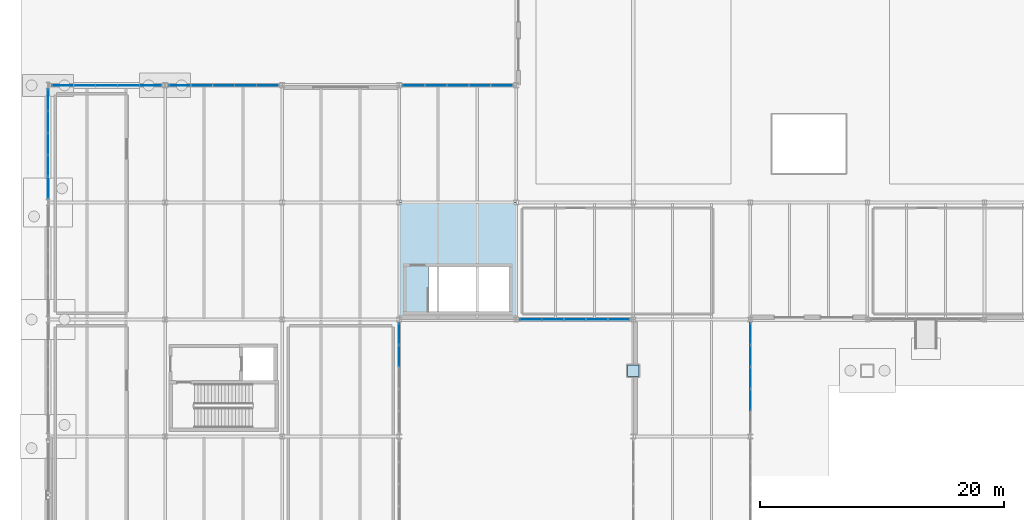
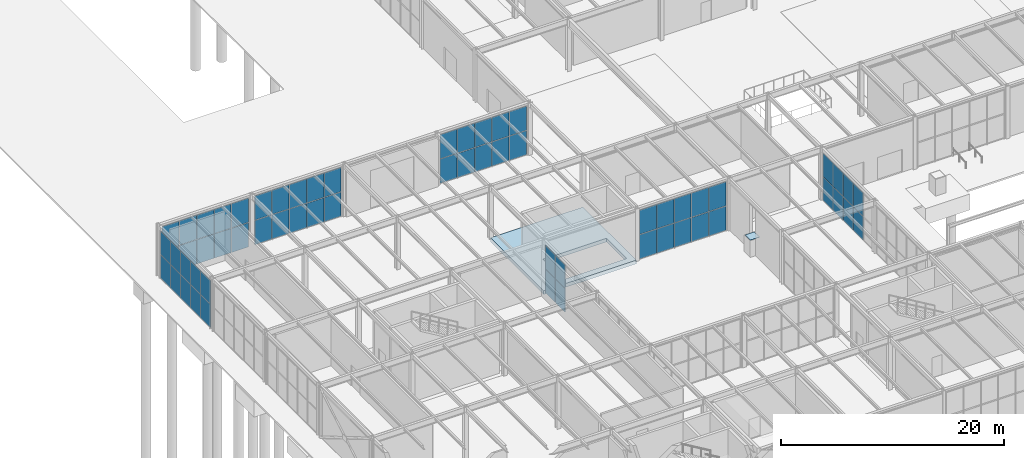
# One storey, part 106 of 142: 63 plates, 1 slab, 7 elements without a shape of their own.
"""IFC4 building model written with IfcOpenShell, lengths in metres."""

from ifc_helpers import new_model, si_unit, direction, frame, origin, origin_2d, place, context, subcontext, project, spatial, polyline, rectangle, outline, extrude, material, layer, layer_set, type_object, element, aggregate, save


model = new_model("IFC4")

# Units and contexts
model_context = context("Model", 3, precision=1e-05, world=origin(), true_north=direction((0.0, 1.0)))
body_context = subcontext(model_context, "Body", "Model", "MODEL_VIEW")
ifc_project = project(units=[si_unit("LENGTHUNIT", "METRE"), si_unit("AREAUNIT", "SQUARE_METRE"), si_unit("VOLUMEUNIT", "CUBIC_METRE"), si_unit("PLANEANGLEUNIT", "RADIAN"), si_unit("MASSUNIT", "GRAM", prefix="KILO")], contexts=[model_context])

# Site, building, storey
site_placement = place(None, origin())
site = spatial("IfcSite", under=ifc_project, at=site_placement, CompositionType="ELEMENT")
building_placement = place(site_placement, origin())
building = spatial("IfcBuilding", under=site, at=building_placement, Name="Coralgate Yard Interchange", CompositionType="ELEMENT")
storey_placement = place(building_placement, origin())
storey = spatial("IfcBuildingStorey", under=building, at=storey_placement, Name="L00", CompositionType="ELEMENT", Elevation=0.0)

# Plate
ifc_material_1 = material(Name="Yellow-ochre weather-coated structural steel S355J2", Category="steel")
ifc_layer_1 = layer(ifc_material_1, 0.0400390625)
ifc_layer_set_1 = layer_set([ifc_layer_1], Name="Yellow-ochre weather-coated structural steel S355J2")
plate_type_1 = type_object("IfcPlateType", Name="PLT-BP-40", PredefinedType="USERDEFINED", material=ifc_layer_set_1)
plate_1_placement = place(storey_placement, frame((48.0, 34.199951171875, 1.800048828125), z_axis=(0.0, 0.0, 1.0), x_axis=(1.0, 0.0, 0.0)))
element("IfcPlate", 1, at=plate_1_placement, inside=storey, type_object=plate_type_1, Name="Arch AR-1 S steel base plate BP-40", ObjectType="BASE PLATE", PredefinedType="USERDEFINED", context=body_context, shape_type="SweptSolid", body=[
    extrude(rectangle(XDim=0.949951171875, YDim=0.949951171875, at=origin_2d()), origin(), (0.0, 0.0, 1.0), 0.0400390625),
])

# Curtain wall, plates
ifc_material_2 = material(Name="Anodised coastal aluminium and solar-control low-E glass", Category="aluminium")
curtain_wall_type_1 = type_object("IfcCurtainWallType", Name="CW-CW-L00-A", PredefinedType="NOTDEFINED", material=ifc_material_2)
curtain_wall_1_placement = place(storey_placement, origin())
curtain_wall_1 = element("IfcCurtainWall", 2, at=curtain_wall_1_placement, inside=storey, type_object=curtain_wall_type_1, Name="L00 unitised curtain wall CW-L00-W-00-05", PredefinedType="NOTDEFINED")
ifc_material_3 = material(Name="Solar-control double-glazed low-E glass unit", Category="glass")
ifc_layer_2 = layer(ifc_material_3, 0.0419921875)
ifc_layer_set_2 = layer_set([ifc_layer_2], Name="Solar-control double-glazed low-E glass unit")
plate_type_2 = type_object("IfcPlateType", Name="PLT-CP-42", PredefinedType="CURTAIN_PANEL", material=ifc_layer_set_2)
plate_2_placement = place(storey_placement, frame((0.0, 49.199951171875, 0.02490234375), z_axis=(0.0, 0.0, 1.0), x_axis=(0.0, 1.0, 0.0)))
plate_2 = element("IfcPlate", 3, at=plate_2_placement, type_object=plate_type_2, Name="CW-L00-W-00-05 solar-control glazing panel 1-1", PredefinedType="CURTAIN_PANEL", context=body_context, shape_type="SweptSolid", body=[
    extrude(rectangle(XDim=1.75, YDim=0.0419921875, at=origin_2d()), origin(), (0.0, 0.0, 1.0), 2.558349609375),
])
plate_3_placement = place(storey_placement, frame((0.0, 49.199951171875, 2.63330078125), z_axis=(0.0, 0.0, 1.0), x_axis=(0.0, 1.0, 0.0)))
plate_3 = element("IfcPlate", 4, at=plate_3_placement, type_object=plate_type_2, Name="CW-L00-W-00-05 solar-control glazing panel 1-2", PredefinedType="CURTAIN_PANEL", context=body_context, shape_type="SweptSolid", body=[
    extrude(rectangle(XDim=1.75, YDim=0.0419921875, at=origin_2d()), origin(), (0.0, 0.0, 1.0), 2.558349609375),
])
plate_4_placement = place(storey_placement, frame((0.0, 51.0, 0.02490234375), z_axis=(0.0, 0.0, 1.0), x_axis=(0.0, 1.0, 0.0)))
plate_4 = element("IfcPlate", 5, at=plate_4_placement, type_object=plate_type_2, Name="CW-L00-W-00-05 solar-control glazing panel 2-1", PredefinedType="CURTAIN_PANEL", context=body_context, shape_type="SweptSolid", body=[
    extrude(rectangle(XDim=1.75, YDim=0.0419921875, at=origin_2d()), origin(), (0.0, 0.0, 1.0), 2.558349609375),
])
plate_5_placement = place(storey_placement, frame((0.0, 51.0, 2.63330078125), z_axis=(0.0, 0.0, 1.0), x_axis=(0.0, 1.0, 0.0)))
plate_5 = element("IfcPlate", 6, at=plate_5_placement, type_object=plate_type_2, Name="CW-L00-W-00-05 solar-control glazing panel 2-2", PredefinedType="CURTAIN_PANEL", context=body_context, shape_type="SweptSolid", body=[
    extrude(rectangle(XDim=1.75, YDim=0.0419921875, at=origin_2d()), origin(), (0.0, 0.0, 1.0), 2.558349609375),
])
plate_6_placement = place(storey_placement, frame((0.0, 52.800048828125, 0.02490234375), z_axis=(0.0, 0.0, 1.0), x_axis=(0.0, 1.0, 0.0)))
plate_6 = element("IfcPlate", 7, at=plate_6_placement, type_object=plate_type_2, Name="CW-L00-W-00-05 solar-control glazing panel 3-1", PredefinedType="CURTAIN_PANEL", context=body_context, shape_type="SweptSolid", body=[
    extrude(rectangle(XDim=1.75, YDim=0.0419921875, at=origin_2d()), origin(), (0.0, 0.0, 1.0), 2.558349609375),
])
plate_7_placement = place(storey_placement, frame((0.0, 52.800048828125, 2.63330078125), z_axis=(0.0, 0.0, 1.0), x_axis=(0.0, 1.0, 0.0)))
plate_7 = element("IfcPlate", 8, at=plate_7_placement, type_object=plate_type_2, Name="CW-L00-W-00-05 solar-control glazing panel 3-2", PredefinedType="CURTAIN_PANEL", context=body_context, shape_type="SweptSolid", body=[
    extrude(rectangle(XDim=1.75, YDim=0.0419921875, at=origin_2d()), origin(), (0.0, 0.0, 1.0), 2.558349609375),
])
plate_8_placement = place(storey_placement, frame((0.0, 54.60009765625, 0.02490234375), z_axis=(0.0, 0.0, 1.0), x_axis=(0.0, 1.0, 0.0)))
plate_8 = element("IfcPlate", 9, at=plate_8_placement, type_object=plate_type_2, Name="CW-L00-W-00-05 solar-control glazing panel 4-1", PredefinedType="CURTAIN_PANEL", context=body_context, shape_type="SweptSolid", body=[
    extrude(rectangle(XDim=1.75, YDim=0.0419921875, at=origin_2d()), origin(), (0.0, 0.0, 1.0), 2.558349609375),
])
plate_9_placement = place(storey_placement, frame((0.0, 54.60009765625, 2.63330078125), z_axis=(0.0, 0.0, 1.0), x_axis=(0.0, 1.0, 0.0)))
plate_9 = element("IfcPlate", 10, at=plate_9_placement, type_object=plate_type_2, Name="CW-L00-W-00-05 solar-control glazing panel 4-2", PredefinedType="CURTAIN_PANEL", context=body_context, shape_type="SweptSolid", body=[
    extrude(rectangle(XDim=1.75, YDim=0.0419921875, at=origin_2d()), origin(), (0.0, 0.0, 1.0), 2.558349609375),
])
plate_10_placement = place(storey_placement, frame((0.0, 56.39990234375, 0.02490234375), z_axis=(0.0, 0.0, 1.0), x_axis=(0.0, 1.0, 0.0)))
plate_10 = element("IfcPlate", 11, at=plate_10_placement, type_object=plate_type_2, Name="CW-L00-W-00-05 solar-control glazing panel 5-1", PredefinedType="CURTAIN_PANEL", context=body_context, shape_type="SweptSolid", body=[
    extrude(rectangle(XDim=1.75, YDim=0.0419921875, at=origin_2d()), origin(), (0.0, 0.0, 1.0), 2.558349609375),
])
plate_11_placement = place(storey_placement, frame((0.0, 56.39990234375, 2.63330078125), z_axis=(0.0, 0.0, 1.0), x_axis=(0.0, 1.0, 0.0)))
plate_11 = element("IfcPlate", 12, at=plate_11_placement, type_object=plate_type_2, Name="CW-L00-W-00-05 solar-control glazing panel 5-2", PredefinedType="CURTAIN_PANEL", context=body_context, shape_type="SweptSolid", body=[
    extrude(rectangle(XDim=1.75, YDim=0.0419921875, at=origin_2d()), origin(), (0.0, 0.0, 1.0), 2.558349609375),
])
aggregate(curtain_wall_1, [plate_2, plate_3, plate_4, plate_5, plate_6, plate_7, plate_8, plate_9, plate_10, plate_11])

curtain_wall_type_2 = type_object("IfcCurtainWallType", Name="CW-CW-L00-B", PredefinedType="NOTDEFINED", material=ifc_material_2)
curtain_wall_2_placement = place(storey_placement, origin())
curtain_wall_2 = element("IfcCurtainWall", 13, at=curtain_wall_2_placement, inside=storey, type_object=curtain_wall_type_2, Name="L00 unitised curtain wall CW-L00-N-00-05", PredefinedType="NOTDEFINED")
plate_12_placement = place(storey_placement, frame((1.199951171875, 57.60009765625, 0.025146484375), z_axis=(0.0, 0.0, 1.0), x_axis=(1.0, 0.0, 0.0)))
plate_12 = element("IfcPlate", 14, at=plate_12_placement, type_object=plate_type_2, Name="CW-L00-N-00-05 solar-control glazing panel 1-1", PredefinedType="CURTAIN_PANEL", context=body_context, shape_type="SweptSolid", body=[
    extrude(rectangle(XDim=1.75, YDim=0.0419921875, at=origin_2d()), origin(), (0.0, 0.0, 1.0), 2.64990234375),
])
plate_13_placement = place(storey_placement, frame((1.199951171875, 57.60009765625, 2.72509765625), z_axis=(0.0, 0.0, 1.0), x_axis=(1.0, 0.0, 0.0)))
plate_13 = element("IfcPlate", 15, at=plate_13_placement, type_object=plate_type_2, Name="CW-L00-N-00-05 solar-control glazing panel 1-2", PredefinedType="CURTAIN_PANEL", context=body_context, shape_type="SweptSolid", body=[
    extrude(rectangle(XDim=1.75, YDim=0.0419921875, at=origin_2d()), origin(), (0.0, 0.0, 1.0), 2.64990234375),
])
plate_14_placement = place(storey_placement, frame((3.0, 57.60009765625, 0.025146484375), z_axis=(0.0, 0.0, 1.0), x_axis=(1.0, 0.0, 0.0)))
plate_14 = element("IfcPlate", 16, at=plate_14_placement, type_object=plate_type_2, Name="CW-L00-N-00-05 solar-control glazing panel 2-1", PredefinedType="CURTAIN_PANEL", context=body_context, shape_type="SweptSolid", body=[
    extrude(rectangle(XDim=1.75, YDim=0.0419921875, at=origin_2d()), origin(), (0.0, 0.0, 1.0), 2.64990234375),
])
plate_15_placement = place(storey_placement, frame((3.0, 57.60009765625, 2.72509765625), z_axis=(0.0, 0.0, 1.0), x_axis=(1.0, 0.0, 0.0)))
plate_15 = element("IfcPlate", 17, at=plate_15_placement, type_object=plate_type_2, Name="CW-L00-N-00-05 solar-control glazing panel 2-2", PredefinedType="CURTAIN_PANEL", context=body_context, shape_type="SweptSolid", body=[
    extrude(rectangle(XDim=1.75, YDim=0.0419921875, at=origin_2d()), origin(), (0.0, 0.0, 1.0), 2.64990234375),
])
plate_16_placement = place(storey_placement, frame((4.800048828125, 57.60009765625, 0.025146484375), z_axis=(0.0, 0.0, 1.0), x_axis=(1.0, 0.0, 0.0)))
plate_16 = element("IfcPlate", 18, at=plate_16_placement, type_object=plate_type_2, Name="CW-L00-N-00-05 solar-control glazing panel 3-1", PredefinedType="CURTAIN_PANEL", context=body_context, shape_type="SweptSolid", body=[
    extrude(rectangle(XDim=1.75, YDim=0.0419921875, at=origin_2d()), origin(), (0.0, 0.0, 1.0), 2.64990234375),
])
plate_17_placement = place(storey_placement, frame((4.800048828125, 57.60009765625, 2.72509765625), z_axis=(0.0, 0.0, 1.0), x_axis=(1.0, 0.0, 0.0)))
plate_17 = element("IfcPlate", 19, at=plate_17_placement, type_object=plate_type_2, Name="CW-L00-N-00-05 solar-control glazing panel 3-2", PredefinedType="CURTAIN_PANEL", context=body_context, shape_type="SweptSolid", body=[
    extrude(rectangle(XDim=1.75, YDim=0.0419921875, at=origin_2d()), origin(), (0.0, 0.0, 1.0), 2.64990234375),
])
plate_18_placement = place(storey_placement, frame((6.60009765625, 57.60009765625, 0.025146484375), z_axis=(0.0, 0.0, 1.0), x_axis=(1.0, 0.0, 0.0)))
plate_18 = element("IfcPlate", 20, at=plate_18_placement, type_object=plate_type_2, Name="CW-L00-N-00-05 solar-control glazing panel 4-1", PredefinedType="CURTAIN_PANEL", context=body_context, shape_type="SweptSolid", body=[
    extrude(rectangle(XDim=1.75, YDim=0.0419921875, at=origin_2d()), origin(), (0.0, 0.0, 1.0), 2.64990234375),
])
plate_19_placement = place(storey_placement, frame((6.60009765625, 57.60009765625, 2.72509765625), z_axis=(0.0, 0.0, 1.0), x_axis=(1.0, 0.0, 0.0)))
plate_19 = element("IfcPlate", 21, at=plate_19_placement, type_object=plate_type_2, Name="CW-L00-N-00-05 solar-control glazing panel 4-2", PredefinedType="CURTAIN_PANEL", context=body_context, shape_type="SweptSolid", body=[
    extrude(rectangle(XDim=1.75, YDim=0.0419921875, at=origin_2d()), origin(), (0.0, 0.0, 1.0), 2.64990234375),
])
plate_20_placement = place(storey_placement, frame((8.39990234375, 57.60009765625, 0.025146484375), z_axis=(0.0, 0.0, 1.0), x_axis=(1.0, 0.0, 0.0)))
plate_20 = element("IfcPlate", 22, at=plate_20_placement, type_object=plate_type_2, Name="CW-L00-N-00-05 solar-control glazing panel 5-1", PredefinedType="CURTAIN_PANEL", context=body_context, shape_type="SweptSolid", body=[
    extrude(rectangle(XDim=1.75, YDim=0.0419921875, at=origin_2d()), origin(), (0.0, 0.0, 1.0), 2.64990234375),
])
plate_21_placement = place(storey_placement, frame((8.39990234375, 57.60009765625, 2.72509765625), z_axis=(0.0, 0.0, 1.0), x_axis=(1.0, 0.0, 0.0)))
plate_21 = element("IfcPlate", 23, at=plate_21_placement, type_object=plate_type_2, Name="CW-L00-N-00-05 solar-control glazing panel 5-2", PredefinedType="CURTAIN_PANEL", context=body_context, shape_type="SweptSolid", body=[
    extrude(rectangle(XDim=1.75, YDim=0.0419921875, at=origin_2d()), origin(), (0.0, 0.0, 1.0), 2.64990234375),
])
aggregate(curtain_wall_2, [plate_12, plate_13, plate_14, plate_15, plate_16, plate_17, plate_18, plate_19, plate_20, plate_21])

curtain_wall_3_placement = place(storey_placement, origin())
curtain_wall_3 = element("IfcCurtainWall", 24, at=curtain_wall_3_placement, inside=storey, type_object=curtain_wall_type_2, Name="L00 unitised curtain wall CW-L00-N-01-05", PredefinedType="NOTDEFINED")
plate_22_placement = place(storey_placement, frame((10.800048828125, 57.60009765625, 0.025146484375), z_axis=(0.0, 0.0, 1.0), x_axis=(1.0, 0.0, 0.0)))
plate_22 = element("IfcPlate", 25, at=plate_22_placement, type_object=plate_type_2, Name="CW-L00-N-01-05 solar-control glazing panel 1-1", PredefinedType="CURTAIN_PANEL", context=body_context, shape_type="SweptSolid", body=[
    extrude(rectangle(XDim=1.75, YDim=0.0419921875, at=origin_2d()), origin(), (0.0, 0.0, 1.0), 2.64990234375),
])
plate_23_placement = place(storey_placement, frame((10.800048828125, 57.60009765625, 2.72509765625), z_axis=(0.0, 0.0, 1.0), x_axis=(1.0, 0.0, 0.0)))
plate_23 = element("IfcPlate", 26, at=plate_23_placement, type_object=plate_type_2, Name="CW-L00-N-01-05 solar-control glazing panel 1-2", PredefinedType="CURTAIN_PANEL", context=body_context, shape_type="SweptSolid", body=[
    extrude(rectangle(XDim=1.75, YDim=0.0419921875, at=origin_2d()), origin(), (0.0, 0.0, 1.0), 2.64990234375),
])
plate_24_placement = place(storey_placement, frame((12.60009765625, 57.60009765625, 0.025146484375), z_axis=(0.0, 0.0, 1.0), x_axis=(1.0, 0.0, 0.0)))
plate_24 = element("IfcPlate", 27, at=plate_24_placement, type_object=plate_type_2, Name="CW-L00-N-01-05 solar-control glazing panel 2-1", PredefinedType="CURTAIN_PANEL", context=body_context, shape_type="SweptSolid", body=[
    extrude(rectangle(XDim=1.75, YDim=0.0419921875, at=origin_2d()), origin(), (0.0, 0.0, 1.0), 2.64990234375),
])
plate_25_placement = place(storey_placement, frame((12.60009765625, 57.60009765625, 2.72509765625), z_axis=(0.0, 0.0, 1.0), x_axis=(1.0, 0.0, 0.0)))
plate_25 = element("IfcPlate", 28, at=plate_25_placement, type_object=plate_type_2, Name="CW-L00-N-01-05 solar-control glazing panel 2-2", PredefinedType="CURTAIN_PANEL", context=body_context, shape_type="SweptSolid", body=[
    extrude(rectangle(XDim=1.75, YDim=0.0419921875, at=origin_2d()), origin(), (0.0, 0.0, 1.0), 2.64990234375),
])
plate_26_placement = place(storey_placement, frame((14.39990234375, 57.60009765625, 0.025146484375), z_axis=(0.0, 0.0, 1.0), x_axis=(1.0, 0.0, 0.0)))
plate_26 = element("IfcPlate", 29, at=plate_26_placement, type_object=plate_type_2, Name="CW-L00-N-01-05 solar-control glazing panel 3-1", PredefinedType="CURTAIN_PANEL", context=body_context, shape_type="SweptSolid", body=[
    extrude(rectangle(XDim=1.75, YDim=0.0419921875, at=origin_2d()), origin(), (0.0, 0.0, 1.0), 2.64990234375),
])
plate_27_placement = place(storey_placement, frame((14.39990234375, 57.60009765625, 2.72509765625), z_axis=(0.0, 0.0, 1.0), x_axis=(1.0, 0.0, 0.0)))
plate_27 = element("IfcPlate", 30, at=plate_27_placement, type_object=plate_type_2, Name="CW-L00-N-01-05 solar-control glazing panel 3-2", PredefinedType="CURTAIN_PANEL", context=body_context, shape_type="SweptSolid", body=[
    extrude(rectangle(XDim=1.75, YDim=0.0419921875, at=origin_2d()), origin(), (0.0, 0.0, 1.0), 2.64990234375),
])
plate_28_placement = place(storey_placement, frame((16.199951171875, 57.60009765625, 0.025146484375), z_axis=(0.0, 0.0, 1.0), x_axis=(1.0, 0.0, 0.0)))
plate_28 = element("IfcPlate", 31, at=plate_28_placement, type_object=plate_type_2, Name="CW-L00-N-01-05 solar-control glazing panel 4-1", PredefinedType="CURTAIN_PANEL", context=body_context, shape_type="SweptSolid", body=[
    extrude(rectangle(XDim=1.75, YDim=0.0419921875, at=origin_2d()), origin(), (0.0, 0.0, 1.0), 2.64990234375),
])
plate_29_placement = place(storey_placement, frame((16.199951171875, 57.60009765625, 2.72509765625), z_axis=(0.0, 0.0, 1.0), x_axis=(1.0, 0.0, 0.0)))
plate_29 = element("IfcPlate", 32, at=plate_29_placement, type_object=plate_type_2, Name="CW-L00-N-01-05 solar-control glazing panel 4-2", PredefinedType="CURTAIN_PANEL", context=body_context, shape_type="SweptSolid", body=[
    extrude(rectangle(XDim=1.75, YDim=0.0419921875, at=origin_2d()), origin(), (0.0, 0.0, 1.0), 2.64990234375),
])
plate_30_placement = place(storey_placement, frame((18.0, 57.60009765625, 0.025146484375), z_axis=(0.0, 0.0, 1.0), x_axis=(1.0, 0.0, 0.0)))
plate_30 = element("IfcPlate", 33, at=plate_30_placement, type_object=plate_type_2, Name="CW-L00-N-01-05 solar-control glazing panel 5-1", PredefinedType="CURTAIN_PANEL", context=body_context, shape_type="SweptSolid", body=[
    extrude(rectangle(XDim=1.75, YDim=0.0419921875, at=origin_2d()), origin(), (0.0, 0.0, 1.0), 2.64990234375),
])
plate_31_placement = place(storey_placement, frame((18.0, 57.60009765625, 2.72509765625), z_axis=(0.0, 0.0, 1.0), x_axis=(1.0, 0.0, 0.0)))
plate_31 = element("IfcPlate", 34, at=plate_31_placement, type_object=plate_type_2, Name="CW-L00-N-01-05 solar-control glazing panel 5-2", PredefinedType="CURTAIN_PANEL", context=body_context, shape_type="SweptSolid", body=[
    extrude(rectangle(XDim=1.75, YDim=0.0419921875, at=origin_2d()), origin(), (0.0, 0.0, 1.0), 2.64990234375),
])
aggregate(curtain_wall_3, [plate_22, plate_23, plate_24, plate_25, plate_26, plate_27, plate_28, plate_29, plate_30, plate_31])

curtain_wall_4_placement = place(storey_placement, origin())
curtain_wall_4 = element("IfcCurtainWall", 35, at=curtain_wall_4_placement, inside=storey, type_object=curtain_wall_type_1, Name="L00 unitised curtain wall CW-L00-E-02-03", PredefinedType="NOTDEFINED")
plate_32_placement = place(storey_placement, frame((28.800048828125, 37.199951171875, 0.02490234375), z_axis=(0.0, 0.0, 1.0), x_axis=(0.0, -1.0, 0.0)))
plate_32 = element("IfcPlate", 36, at=plate_32_placement, type_object=plate_type_2, Name="CW-L00-E-02-03 solar-control glazing panel 1-1", PredefinedType="CURTAIN_PANEL", context=body_context, shape_type="SweptSolid", body=[
    extrude(rectangle(XDim=1.75, YDim=0.0419921875, at=origin_2d()), origin(), (0.0, 0.0, 1.0), 2.558349609375),
])
plate_33_placement = place(storey_placement, frame((28.800048828125, 37.199951171875, 2.63330078125), z_axis=(0.0, 0.0, 1.0), x_axis=(0.0, -1.0, 0.0)))
plate_33 = element("IfcPlate", 37, at=plate_33_placement, type_object=plate_type_2, Name="CW-L00-E-02-03 solar-control glazing panel 1-2", PredefinedType="CURTAIN_PANEL", context=body_context, shape_type="SweptSolid", body=[
    extrude(rectangle(XDim=1.75, YDim=0.0419921875, at=origin_2d()), origin(), (0.0, 0.0, 1.0), 2.558349609375),
])
plate_34_placement = place(storey_placement, frame((28.800048828125, 35.39990234375, 0.02490234375), z_axis=(0.0, 0.0, 1.0), x_axis=(0.0, -1.0, 0.0)))
plate_34 = element("IfcPlate", 38, at=plate_34_placement, type_object=plate_type_2, Name="CW-L00-E-02-03 solar-control glazing panel 2-1", PredefinedType="CURTAIN_PANEL", context=body_context, shape_type="SweptSolid", body=[
    extrude(rectangle(XDim=1.75, YDim=0.0419921875, at=origin_2d()), origin(), (0.0, 0.0, 1.0), 2.558349609375),
])
plate_35_placement = place(storey_placement, frame((28.800048828125, 35.39990234375, 2.63330078125), z_axis=(0.0, 0.0, 1.0), x_axis=(0.0, -1.0, 0.0)))
plate_35 = element("IfcPlate", 39, at=plate_35_placement, type_object=plate_type_2, Name="CW-L00-E-02-03 solar-control glazing panel 2-2", PredefinedType="CURTAIN_PANEL", context=body_context, shape_type="SweptSolid", body=[
    extrude(rectangle(XDim=1.75, YDim=0.0419921875, at=origin_2d()), origin(), (0.0, 0.0, 1.0), 2.558349609375),
])
aggregate(curtain_wall_4, [plate_32, plate_33, plate_34, plate_35])

curtain_wall_5_placement = place(storey_placement, origin())
curtain_wall_5 = element("IfcCurtainWall", 40, at=curtain_wall_5_placement, inside=storey, type_object=curtain_wall_type_2, Name="L00 unitised curtain wall CW-L00-N-03-05", PredefinedType="NOTDEFINED")
plate_36_placement = place(storey_placement, frame((30.0, 57.60009765625, 0.025146484375), z_axis=(0.0, 0.0, 1.0), x_axis=(1.0, 0.0, 0.0)))
plate_36 = element("IfcPlate", 41, at=plate_36_placement, type_object=plate_type_2, Name="CW-L00-N-03-05 solar-control glazing panel 1-1", PredefinedType="CURTAIN_PANEL", context=body_context, shape_type="SweptSolid", body=[
    extrude(rectangle(XDim=1.75, YDim=0.0419921875, at=origin_2d()), origin(), (0.0, 0.0, 1.0), 2.64990234375),
])
plate_37_placement = place(storey_placement, frame((30.0, 57.60009765625, 2.72509765625), z_axis=(0.0, 0.0, 1.0), x_axis=(1.0, 0.0, 0.0)))
plate_37 = element("IfcPlate", 42, at=plate_37_placement, type_object=plate_type_2, Name="CW-L00-N-03-05 solar-control glazing panel 1-2", PredefinedType="CURTAIN_PANEL", context=body_context, shape_type="SweptSolid", body=[
    extrude(rectangle(XDim=1.75, YDim=0.0419921875, at=origin_2d()), origin(), (0.0, 0.0, 1.0), 2.64990234375),
])
plate_38_placement = place(storey_placement, frame((31.800048828125, 57.60009765625, 0.025146484375), z_axis=(0.0, 0.0, 1.0), x_axis=(1.0, 0.0, 0.0)))
plate_38 = element("IfcPlate", 43, at=plate_38_placement, type_object=plate_type_2, Name="CW-L00-N-03-05 solar-control glazing panel 2-1", PredefinedType="CURTAIN_PANEL", context=body_context, shape_type="SweptSolid", body=[
    extrude(rectangle(XDim=1.75, YDim=0.0419921875, at=origin_2d()), origin(), (0.0, 0.0, 1.0), 2.64990234375),
])
plate_39_placement = place(storey_placement, frame((31.800048828125, 57.60009765625, 2.72509765625), z_axis=(0.0, 0.0, 1.0), x_axis=(1.0, 0.0, 0.0)))
plate_39 = element("IfcPlate", 44, at=plate_39_placement, type_object=plate_type_2, Name="CW-L00-N-03-05 solar-control glazing panel 2-2", PredefinedType="CURTAIN_PANEL", context=body_context, shape_type="SweptSolid", body=[
    extrude(rectangle(XDim=1.75, YDim=0.0419921875, at=origin_2d()), origin(), (0.0, 0.0, 1.0), 2.64990234375),
])
plate_40_placement = place(storey_placement, frame((33.60009765625, 57.60009765625, 0.025146484375), z_axis=(0.0, 0.0, 1.0), x_axis=(1.0, 0.0, 0.0)))
plate_40 = element("IfcPlate", 45, at=plate_40_placement, type_object=plate_type_2, Name="CW-L00-N-03-05 solar-control glazing panel 3-1", PredefinedType="CURTAIN_PANEL", context=body_context, shape_type="SweptSolid", body=[
    extrude(rectangle(XDim=1.75, YDim=0.0419921875, at=origin_2d()), origin(), (0.0, 0.0, 1.0), 2.64990234375),
])
plate_41_placement = place(storey_placement, frame((33.60009765625, 57.60009765625, 2.72509765625), z_axis=(0.0, 0.0, 1.0), x_axis=(1.0, 0.0, 0.0)))
plate_41 = element("IfcPlate", 46, at=plate_41_placement, type_object=plate_type_2, Name="CW-L00-N-03-05 solar-control glazing panel 3-2", PredefinedType="CURTAIN_PANEL", context=body_context, shape_type="SweptSolid", body=[
    extrude(rectangle(XDim=1.75, YDim=0.0419921875, at=origin_2d()), origin(), (0.0, 0.0, 1.0), 2.64990234375),
])
plate_42_placement = place(storey_placement, frame((35.39990234375, 57.60009765625, 0.025146484375), z_axis=(0.0, 0.0, 1.0), x_axis=(1.0, 0.0, 0.0)))
plate_42 = element("IfcPlate", 47, at=plate_42_placement, type_object=plate_type_2, Name="CW-L00-N-03-05 solar-control glazing panel 4-1", PredefinedType="CURTAIN_PANEL", context=body_context, shape_type="SweptSolid", body=[
    extrude(rectangle(XDim=1.75, YDim=0.0419921875, at=origin_2d()), origin(), (0.0, 0.0, 1.0), 2.64990234375),
])
plate_43_placement = place(storey_placement, frame((35.39990234375, 57.60009765625, 2.72509765625), z_axis=(0.0, 0.0, 1.0), x_axis=(1.0, 0.0, 0.0)))
plate_43 = element("IfcPlate", 48, at=plate_43_placement, type_object=plate_type_2, Name="CW-L00-N-03-05 solar-control glazing panel 4-2", PredefinedType="CURTAIN_PANEL", context=body_context, shape_type="SweptSolid", body=[
    extrude(rectangle(XDim=1.75, YDim=0.0419921875, at=origin_2d()), origin(), (0.0, 0.0, 1.0), 2.64990234375),
])
plate_44_placement = place(storey_placement, frame((37.199951171875, 57.60009765625, 0.025146484375), z_axis=(0.0, 0.0, 1.0), x_axis=(1.0, 0.0, 0.0)))
plate_44 = element("IfcPlate", 49, at=plate_44_placement, type_object=plate_type_2, Name="CW-L00-N-03-05 solar-control glazing panel 5-1", PredefinedType="CURTAIN_PANEL", context=body_context, shape_type="SweptSolid", body=[
    extrude(rectangle(XDim=1.75, YDim=0.0419921875, at=origin_2d()), origin(), (0.0, 0.0, 1.0), 2.64990234375),
])
plate_45_placement = place(storey_placement, frame((37.199951171875, 57.60009765625, 2.72509765625), z_axis=(0.0, 0.0, 1.0), x_axis=(1.0, 0.0, 0.0)))
plate_45 = element("IfcPlate", 50, at=plate_45_placement, type_object=plate_type_2, Name="CW-L00-N-03-05 solar-control glazing panel 5-2", PredefinedType="CURTAIN_PANEL", context=body_context, shape_type="SweptSolid", body=[
    extrude(rectangle(XDim=1.75, YDim=0.0419921875, at=origin_2d()), origin(), (0.0, 0.0, 1.0), 2.64990234375),
])
aggregate(curtain_wall_5, [plate_36, plate_37, plate_38, plate_39, plate_40, plate_41, plate_42, plate_43, plate_44, plate_45])

curtain_wall_6_placement = place(storey_placement, origin())
curtain_wall_6 = element("IfcCurtainWall", 51, at=curtain_wall_6_placement, inside=storey, type_object=curtain_wall_type_1, Name="L00 unitised curtain wall CW-L00-S-04-04", PredefinedType="NOTDEFINED")
plate_46_placement = place(storey_placement, frame((46.800048828125, 38.39990234375, 0.025146484375), z_axis=(0.0, 0.0, 1.0), x_axis=(-1.0, 0.0, 0.0)))
plate_46 = element("IfcPlate", 52, at=plate_46_placement, type_object=plate_type_2, Name="CW-L00-S-04-04 solar-control glazing panel 1-1", PredefinedType="CURTAIN_PANEL", context=body_context, shape_type="SweptSolid", body=[
    extrude(rectangle(XDim=1.75, YDim=0.0419921875, at=origin_2d()), origin(), (0.0, 0.0, 1.0), 2.64990234375),
])
plate_47_placement = place(storey_placement, frame((46.800048828125, 38.39990234375, 2.72509765625), z_axis=(0.0, 0.0, 1.0), x_axis=(-1.0, 0.0, 0.0)))
plate_47 = element("IfcPlate", 53, at=plate_47_placement, type_object=plate_type_2, Name="CW-L00-S-04-04 solar-control glazing panel 1-2", PredefinedType="CURTAIN_PANEL", context=body_context, shape_type="SweptSolid", body=[
    extrude(rectangle(XDim=1.75, YDim=0.0419921875, at=origin_2d()), origin(), (0.0, 0.0, 1.0), 2.64990234375),
])
plate_48_placement = place(storey_placement, frame((45.0, 38.39990234375, 0.025146484375), z_axis=(0.0, 0.0, 1.0), x_axis=(-1.0, 0.0, 0.0)))
plate_48 = element("IfcPlate", 54, at=plate_48_placement, type_object=plate_type_2, Name="CW-L00-S-04-04 solar-control glazing panel 2-1", PredefinedType="CURTAIN_PANEL", context=body_context, shape_type="SweptSolid", body=[
    extrude(rectangle(XDim=1.75, YDim=0.0419921875, at=origin_2d()), origin(), (0.0, 0.0, 1.0), 2.64990234375),
])
plate_49_placement = place(storey_placement, frame((45.0, 38.39990234375, 2.72509765625), z_axis=(0.0, 0.0, 1.0), x_axis=(-1.0, 0.0, 0.0)))
plate_49 = element("IfcPlate", 55, at=plate_49_placement, type_object=plate_type_2, Name="CW-L00-S-04-04 solar-control glazing panel 2-2", PredefinedType="CURTAIN_PANEL", context=body_context, shape_type="SweptSolid", body=[
    extrude(rectangle(XDim=1.75, YDim=0.0419921875, at=origin_2d()), origin(), (0.0, 0.0, 1.0), 2.64990234375),
])
plate_50_placement = place(storey_placement, frame((43.199951171875, 38.39990234375, 0.025146484375), z_axis=(0.0, 0.0, 1.0), x_axis=(-1.0, 0.0, 0.0)))
plate_50 = element("IfcPlate", 56, at=plate_50_placement, type_object=plate_type_2, Name="CW-L00-S-04-04 solar-control glazing panel 3-1", PredefinedType="CURTAIN_PANEL", context=body_context, shape_type="SweptSolid", body=[
    extrude(rectangle(XDim=1.75, YDim=0.0419921875, at=origin_2d()), origin(), (0.0, 0.0, 1.0), 2.64990234375),
])
plate_51_placement = place(storey_placement, frame((43.199951171875, 38.39990234375, 2.72509765625), z_axis=(0.0, 0.0, 1.0), x_axis=(-1.0, 0.0, 0.0)))
plate_51 = element("IfcPlate", 57, at=plate_51_placement, type_object=plate_type_2, Name="CW-L00-S-04-04 solar-control glazing panel 3-2", PredefinedType="CURTAIN_PANEL", context=body_context, shape_type="SweptSolid", body=[
    extrude(rectangle(XDim=1.75, YDim=0.0419921875, at=origin_2d()), origin(), (0.0, 0.0, 1.0), 2.64990234375),
])
plate_52_placement = place(storey_placement, frame((41.39990234375, 38.39990234375, 0.025146484375), z_axis=(0.0, 0.0, 1.0), x_axis=(-1.0, 0.0, 0.0)))
plate_52 = element("IfcPlate", 58, at=plate_52_placement, type_object=plate_type_2, Name="CW-L00-S-04-04 solar-control glazing panel 4-1", PredefinedType="CURTAIN_PANEL", context=body_context, shape_type="SweptSolid", body=[
    extrude(rectangle(XDim=1.75, YDim=0.0419921875, at=origin_2d()), origin(), (0.0, 0.0, 1.0), 2.64990234375),
])
plate_53_placement = place(storey_placement, frame((41.39990234375, 38.39990234375, 2.72509765625), z_axis=(0.0, 0.0, 1.0), x_axis=(-1.0, 0.0, 0.0)))
plate_53 = element("IfcPlate", 59, at=plate_53_placement, type_object=plate_type_2, Name="CW-L00-S-04-04 solar-control glazing panel 4-2", PredefinedType="CURTAIN_PANEL", context=body_context, shape_type="SweptSolid", body=[
    extrude(rectangle(XDim=1.75, YDim=0.0419921875, at=origin_2d()), origin(), (0.0, 0.0, 1.0), 2.64990234375),
])
plate_54_placement = place(storey_placement, frame((39.60009765625, 38.39990234375, 0.025146484375), z_axis=(0.0, 0.0, 1.0), x_axis=(-1.0, 0.0, 0.0)))
plate_54 = element("IfcPlate", 60, at=plate_54_placement, type_object=plate_type_2, Name="CW-L00-S-04-04 solar-control glazing panel 5-1", PredefinedType="CURTAIN_PANEL", context=body_context, shape_type="SweptSolid", body=[
    extrude(rectangle(XDim=1.75, YDim=0.0419921875, at=origin_2d()), origin(), (0.0, 0.0, 1.0), 2.64990234375),
])
plate_55_placement = place(storey_placement, frame((39.60009765625, 38.39990234375, 2.72509765625), z_axis=(0.0, 0.0, 1.0), x_axis=(-1.0, 0.0, 0.0)))
plate_55 = element("IfcPlate", 61, at=plate_55_placement, type_object=plate_type_2, Name="CW-L00-S-04-04 solar-control glazing panel 5-2", PredefinedType="CURTAIN_PANEL", context=body_context, shape_type="SweptSolid", body=[
    extrude(rectangle(XDim=1.75, YDim=0.0419921875, at=origin_2d()), origin(), (0.0, 0.0, 1.0), 2.64990234375),
])
aggregate(curtain_wall_6, [plate_46, plate_47, plate_48, plate_49, plate_50, plate_51, plate_52, plate_53, plate_54, plate_55])

curtain_wall_7_placement = place(storey_placement, origin())
curtain_wall_7 = element("IfcCurtainWall", 62, at=curtain_wall_7_placement, inside=storey, type_object=curtain_wall_type_1, Name="L00 unitised curtain wall CW-L00-E-05-03", PredefinedType="NOTDEFINED")
plate_56_placement = place(storey_placement, frame((57.60009765625, 37.199951171875, 0.02490234375), z_axis=(0.0, 0.0, 1.0), x_axis=(0.0, -1.0, 0.0)))
plate_56 = element("IfcPlate", 63, at=plate_56_placement, type_object=plate_type_2, Name="CW-L00-E-05-03 solar-control glazing panel 1-1", PredefinedType="CURTAIN_PANEL", context=body_context, shape_type="SweptSolid", body=[
    extrude(rectangle(XDim=1.75, YDim=0.0419921875, at=origin_2d()), origin(), (0.0, 0.0, 1.0), 2.558349609375),
])
plate_57_placement = place(storey_placement, frame((57.60009765625, 37.199951171875, 2.63330078125), z_axis=(0.0, 0.0, 1.0), x_axis=(0.0, -1.0, 0.0)))
plate_57 = element("IfcPlate", 64, at=plate_57_placement, type_object=plate_type_2, Name="CW-L00-E-05-03 solar-control glazing panel 1-2", PredefinedType="CURTAIN_PANEL", context=body_context, shape_type="SweptSolid", body=[
    extrude(rectangle(XDim=1.75, YDim=0.0419921875, at=origin_2d()), origin(), (0.0, 0.0, 1.0), 2.558349609375),
])
plate_58_placement = place(storey_placement, frame((57.60009765625, 35.39990234375, 0.02490234375), z_axis=(0.0, 0.0, 1.0), x_axis=(0.0, -1.0, 0.0)))
plate_58 = element("IfcPlate", 65, at=plate_58_placement, type_object=plate_type_2, Name="CW-L00-E-05-03 solar-control glazing panel 2-1", PredefinedType="CURTAIN_PANEL", context=body_context, shape_type="SweptSolid", body=[
    extrude(rectangle(XDim=1.75, YDim=0.0419921875, at=origin_2d()), origin(), (0.0, 0.0, 1.0), 2.558349609375),
])
plate_59_placement = place(storey_placement, frame((57.60009765625, 35.39990234375, 2.63330078125), z_axis=(0.0, 0.0, 1.0), x_axis=(0.0, -1.0, 0.0)))
plate_59 = element("IfcPlate", 66, at=plate_59_placement, type_object=plate_type_2, Name="CW-L00-E-05-03 solar-control glazing panel 2-2", PredefinedType="CURTAIN_PANEL", context=body_context, shape_type="SweptSolid", body=[
    extrude(rectangle(XDim=1.75, YDim=0.0419921875, at=origin_2d()), origin(), (0.0, 0.0, 1.0), 2.558349609375),
])
plate_60_placement = place(storey_placement, frame((57.60009765625, 33.60009765625, 0.02490234375), z_axis=(0.0, 0.0, 1.0), x_axis=(0.0, -1.0, 0.0)))
plate_60 = element("IfcPlate", 67, at=plate_60_placement, type_object=plate_type_2, Name="CW-L00-E-05-03 solar-control glazing panel 3-1", PredefinedType="CURTAIN_PANEL", context=body_context, shape_type="SweptSolid", body=[
    extrude(rectangle(XDim=1.75, YDim=0.0419921875, at=origin_2d()), origin(), (0.0, 0.0, 1.0), 2.558349609375),
])
plate_61_placement = place(storey_placement, frame((57.60009765625, 33.60009765625, 2.63330078125), z_axis=(0.0, 0.0, 1.0), x_axis=(0.0, -1.0, 0.0)))
plate_61 = element("IfcPlate", 68, at=plate_61_placement, type_object=plate_type_2, Name="CW-L00-E-05-03 solar-control glazing panel 3-2", PredefinedType="CURTAIN_PANEL", context=body_context, shape_type="SweptSolid", body=[
    extrude(rectangle(XDim=1.75, YDim=0.0419921875, at=origin_2d()), origin(), (0.0, 0.0, 1.0), 2.558349609375),
])
plate_62_placement = place(storey_placement, frame((57.60009765625, 31.800048828125, 0.02490234375), z_axis=(0.0, 0.0, 1.0), x_axis=(0.0, -1.0, 0.0)))
plate_62 = element("IfcPlate", 69, at=plate_62_placement, type_object=plate_type_2, Name="CW-L00-E-05-03 solar-control glazing panel 4-1", PredefinedType="CURTAIN_PANEL", context=body_context, shape_type="SweptSolid", body=[
    extrude(rectangle(XDim=1.75, YDim=0.0419921875, at=origin_2d()), origin(), (0.0, 0.0, 1.0), 2.558349609375),
])
plate_63_placement = place(storey_placement, frame((57.60009765625, 31.800048828125, 2.63330078125), z_axis=(0.0, 0.0, 1.0), x_axis=(0.0, -1.0, 0.0)))
plate_63 = element("IfcPlate", 70, at=plate_63_placement, type_object=plate_type_2, Name="CW-L00-E-05-03 solar-control glazing panel 4-2", PredefinedType="CURTAIN_PANEL", context=body_context, shape_type="SweptSolid", body=[
    extrude(rectangle(XDim=1.75, YDim=0.0419921875, at=origin_2d()), origin(), (0.0, 0.0, 1.0), 2.558349609375),
])
aggregate(curtain_wall_7, [plate_56, plate_57, plate_58, plate_59, plate_60, plate_61, plate_62, plate_63])

# Slab
ifc_material_4 = material(Name="Concrete C40/50", Category="concrete")
ifc_layer_3 = layer(ifc_material_4, 0.39990234375)
ifc_layer_set_3 = layer_set([ifc_layer_3], Name="Concrete C40/50")
slab_type = type_object("IfcSlabType", Name="SLB-SL-GND400", PredefinedType="FLOOR", material=ifc_layer_set_3)
slab_placement = place(storey_placement, frame((0.0, 0.0, -0.39990234375)))
element("IfcSlab", 71, at=slab_placement, inside=storey, type_object=slab_type, Name="L00 core C12 structural floor slab", PredefinedType="FLOOR", context=body_context, shape_type="SweptSolid", body=[
    extrude(outline(polyline([(28.800048828125, 48.0), (38.39990234375, 48.0), (38.39990234375, 38.39990234375), (28.800048828125, 38.39990234375), (28.800048828125, 48.0)]), holes=[polyline([(37.800048828125, 39.050048828125), (37.800048828125, 42.7099609375), (31.219970703125, 42.7099609375), (31.219970703125, 39.050048828125), (37.800048828125, 39.050048828125)])]), origin(), (0.0, 0.0, 1.0), 0.39990234375),
])

save(model, "model.ifc")
